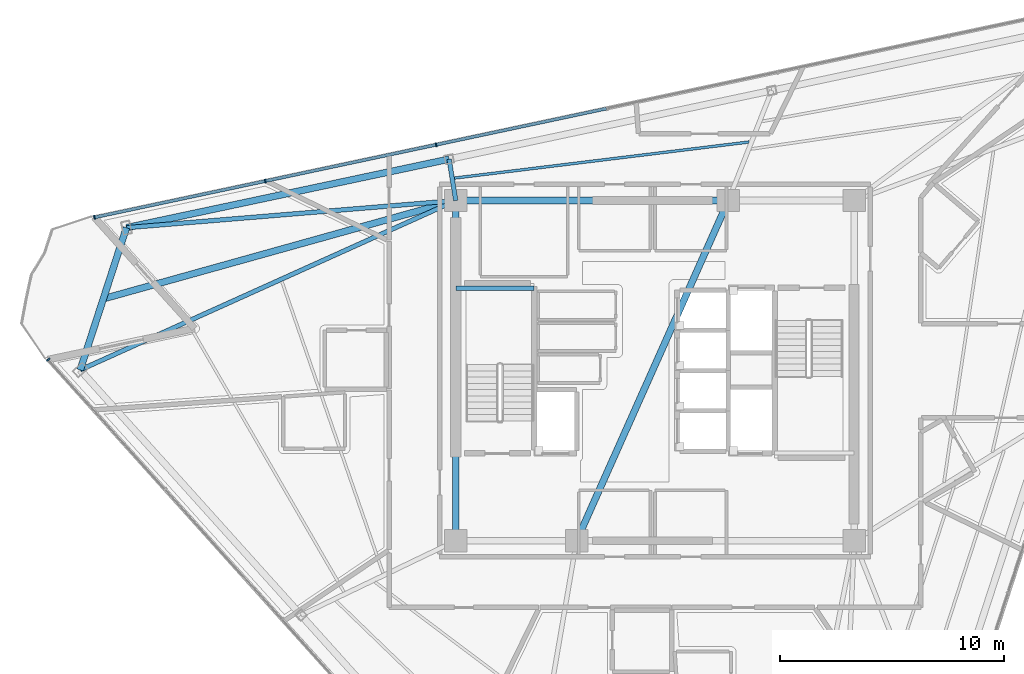
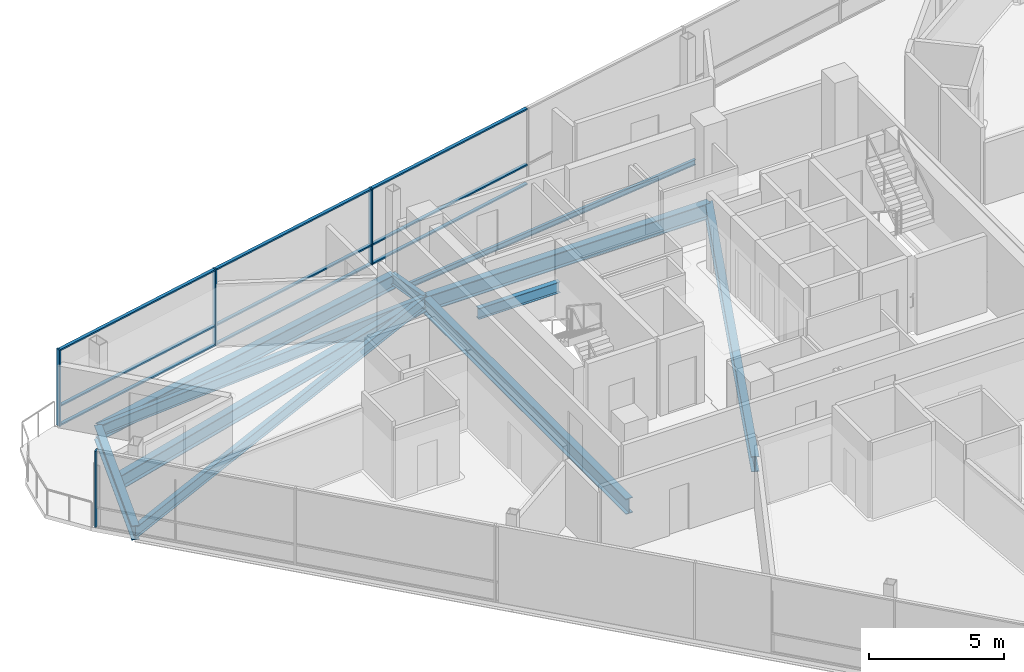
# One storey, part 6 of 18: 13 members, 11 beams, 2 elements without a shape of their own.
"""IFC4 building model written with IfcOpenShell, lengths in metres."""

from ifc_helpers import new_model, si_unit, direction, frame, origin, origin_2d, place, context, subcontext, project, spatial, rectangle, i_section, extrude, material, layer, layer_set, material_profile, profile_set, type_object, element, aggregate, save


model = new_model("IFC4")

# Units and contexts
model_context = context("Model", 3, precision=1e-05, world=origin(), true_north=direction((0.0, 1.0)))
body_context = subcontext(model_context, "Body", "Model", "MODEL_VIEW")
ifc_project = project(units=[si_unit("LENGTHUNIT", "METRE"), si_unit("AREAUNIT", "SQUARE_METRE"), si_unit("VOLUMEUNIT", "CUBIC_METRE"), si_unit("PLANEANGLEUNIT", "RADIAN"), si_unit("MASSUNIT", "GRAM", prefix="KILO")], contexts=[model_context])

# Site, building, storey
site_placement = place(None, origin())
site = spatial("IfcSite", under=ifc_project, at=site_placement, CompositionType="ELEMENT")
building_placement = place(site_placement, origin())
building = spatial("IfcBuilding", under=site, at=building_placement, Name="Tharavind Bronze Gate", CompositionType="ELEMENT")
storey_placement = place(building_placement, frame((0.0, 0.0, 287.050048828125)))
storey = spatial("IfcBuildingStorey", under=building, at=storey_placement, Name="L74", CompositionType="ELEMENT", Elevation=287.050048828125)

# Curtain wall, member
ifc_material_1 = material(Name="Anodised Bronze Aluminium", Category="aluminium")
ifc_layer = layer(ifc_material_1, 0.219970703125)
ifc_layer_set = layer_set([ifc_layer], Name="Anodised Bronze Aluminium")
curtain_wall_type = type_object("IfcCurtainWallType", Name="UNITISED CURTAIN WALL CROWN", PredefinedType="USERDEFINED", material=ifc_layer_set)
curtain_wall_1_placement = place(storey_placement, origin())
curtain_wall_1 = element("IfcCurtainWall", 1, at=curtain_wall_1_placement, inside=storey, type_object=curtain_wall_type, Name="L74 unitised curtain wall crown CW-L74-S1", ObjectType="UNITISED CURTAIN WALL", PredefinedType="USERDEFINED")
member_type_1 = type_object("IfcMemberType", Name="CURTAIN WALL BRONZE MULLION 65X180", PredefinedType="MULLION", material=ifc_material_1)
member_1_placement = place(storey_placement, frame((-27.105224609375, 0.4951171875, 0.0), z_axis=(0.0, 0.0, 1.0), x_axis=(0.669130606359, -0.743144825477, 0.0)))
member_1 = element("IfcMember", 2, at=member_1_placement, type_object=member_type_1, Name="CW-L74-S1 mullion 1", PredefinedType="MULLION", context=body_context, shape_type="SweptSolid", body=[
    extrude(rectangle(XDim=0.06494140625, YDim=0.179931640625, at=origin_2d()), origin(), (0.0, 0.0, 1.0), 3.465087890625),
])
aggregate(curtain_wall_1, [member_1])

# Curtain wall, members
curtain_wall_2_placement = place(storey_placement, origin())
curtain_wall_2 = element("IfcCurtainWall", 3, at=curtain_wall_2_placement, inside=storey, type_object=curtain_wall_type, Name="L74 unitised curtain wall crown CW-L74-S3", ObjectType="UNITISED CURTAIN WALL", PredefinedType="USERDEFINED")
member_2_placement = place(storey_placement, frame((-9.776611328125, 10.0927734375, 0.0), z_axis=(0.0, 0.0, 1.0), x_axis=(-0.978147237858, -0.207913398007, 0.0)))
member_2 = element("IfcMember", 4, at=member_2_placement, type_object=member_type_1, Name="CW-L74-S3 mullion 5", PredefinedType="MULLION", context=body_context, shape_type="SweptSolid", body=[
    extrude(rectangle(XDim=0.06494140625, YDim=0.179931640625, at=origin_2d()), origin(), (0.0, 0.0, 1.0), 3.465087890625),
])
member_3_placement = place(storey_placement, frame((-17.408935546875, 8.470458984375, 0.0), z_axis=(0.0, 0.0, 1.0), x_axis=(-0.978147237858, -0.207913398007, 0.0)))
member_3 = element("IfcMember", 5, at=member_3_placement, type_object=member_type_1, Name="CW-L74-S3 mullion 6", PredefinedType="MULLION", context=body_context, shape_type="SweptSolid", body=[
    extrude(rectangle(XDim=0.06494140625, YDim=0.179931640625, at=origin_2d()), origin(), (0.0, 0.0, 1.0), 3.465087890625),
])
member_4_placement = place(storey_placement, frame((-25.041015625, 6.84814453125, 0.0), z_axis=(0.0, 0.0, 1.0), x_axis=(-0.978147237858, -0.207913398007, 0.0)))
member_4 = element("IfcMember", 6, at=member_4_placement, type_object=member_type_1, Name="CW-L74-S3 mullion 7", PredefinedType="MULLION", context=body_context, shape_type="SweptSolid", body=[
    extrude(rectangle(XDim=0.06494140625, YDim=0.179931640625, at=origin_2d()), origin(), (0.0, 0.0, 1.0), 3.465087890625),
])
member_type_2 = type_object("IfcMemberType", Name="CURTAIN WALL BRONZE TRANSOM 65X140", PredefinedType="USERDEFINED", material=ifc_material_1)
member_5_placement = place(storey_placement, frame((-5.960693359375, 10.90380859375, 0.0), z_axis=(0.0, 0.0, 1.0), x_axis=(-0.978147237858, -0.207913398007, 0.0)))
member_5 = element("IfcMember", 7, at=member_5_placement, type_object=member_type_2, Name="CW-L74-S3 transom TB4", ObjectType="TRANSOM", PredefinedType="USERDEFINED", context=body_context, shape_type="SweptSolid", body=[
    extrude(rectangle(XDim=7.749755859375, YDim=0.139892578125, at=origin_2d()), origin(), (0.0, 0.0, 1.0), 0.06494140625),
])
member_6_placement = place(storey_placement, frame((-5.960693359375, 10.90380859375, 0.867431640625), z_axis=(0.0, 0.0, 1.0), x_axis=(-0.978147237858, -0.207913398007, 0.0)))
member_6 = element("IfcMember", 8, at=member_6_placement, type_object=member_type_2, Name="CW-L74-S3 transom TS4", ObjectType="TRANSOM", PredefinedType="USERDEFINED", context=body_context, shape_type="SweptSolid", body=[
    extrude(rectangle(XDim=7.749755859375, YDim=0.139892578125, at=origin_2d()), origin(), (0.0, 0.0, 1.0), 0.06494140625),
])
member_7_placement = place(storey_placement, frame((-5.960693359375, 10.90380859375, 3.39990234375), z_axis=(0.0, 0.0, 1.0), x_axis=(-0.978147237858, -0.207913398007, 0.0)))
member_7 = element("IfcMember", 9, at=member_7_placement, type_object=member_type_2, Name="CW-L74-S3 transom TT4", ObjectType="TRANSOM", PredefinedType="USERDEFINED", context=body_context, shape_type="SweptSolid", body=[
    extrude(rectangle(XDim=7.749755859375, YDim=0.139892578125, at=origin_2d()), origin(), (0.0, 0.0, 1.0), 0.06494140625),
])
member_8_placement = place(storey_placement, frame((-13.5927734375, 9.281494140625, 0.0), z_axis=(0.0, 0.0, 1.0), x_axis=(-0.978147237858, -0.207913398007, 0.0)))
member_8 = element("IfcMember", 10, at=member_8_placement, type_object=member_type_2, Name="CW-L74-S3 transom TB5", ObjectType="TRANSOM", PredefinedType="USERDEFINED", context=body_context, shape_type="SweptSolid", body=[
    extrude(rectangle(XDim=7.749755859375, YDim=0.139892578125, at=origin_2d()), origin(), (0.0, 0.0, 1.0), 0.06494140625),
])
member_9_placement = place(storey_placement, frame((-13.5927734375, 9.281494140625, 0.867431640625), z_axis=(0.0, 0.0, 1.0), x_axis=(-0.978147237858, -0.207913398007, 0.0)))
member_9 = element("IfcMember", 11, at=member_9_placement, type_object=member_type_2, Name="CW-L74-S3 transom TS5", ObjectType="TRANSOM", PredefinedType="USERDEFINED", context=body_context, shape_type="SweptSolid", body=[
    extrude(rectangle(XDim=7.749755859375, YDim=0.139892578125, at=origin_2d()), origin(), (0.0, 0.0, 1.0), 0.06494140625),
])
member_10_placement = place(storey_placement, frame((-13.5927734375, 9.281494140625, 3.39990234375), z_axis=(0.0, 0.0, 1.0), x_axis=(-0.978147237858, -0.207913398007, 0.0)))
member_10 = element("IfcMember", 12, at=member_10_placement, type_object=member_type_2, Name="CW-L74-S3 transom TT5", ObjectType="TRANSOM", PredefinedType="USERDEFINED", context=body_context, shape_type="SweptSolid", body=[
    extrude(rectangle(XDim=7.749755859375, YDim=0.139892578125, at=origin_2d()), origin(), (0.0, 0.0, 1.0), 0.06494140625),
])
member_11_placement = place(storey_placement, frame((-21.22509765625, 7.6591796875, 0.0), z_axis=(0.0, 0.0, 1.0), x_axis=(-0.978147237858, -0.207913398007, 0.0)))
member_11 = element("IfcMember", 13, at=member_11_placement, type_object=member_type_2, Name="CW-L74-S3 transom TB6", ObjectType="TRANSOM", PredefinedType="USERDEFINED", context=body_context, shape_type="SweptSolid", body=[
    extrude(rectangle(XDim=7.749755859375, YDim=0.139892578125, at=origin_2d()), origin(), (0.0, 0.0, 1.0), 0.06494140625),
])
member_12_placement = place(storey_placement, frame((-21.22509765625, 7.6591796875, 0.867431640625), z_axis=(0.0, 0.0, 1.0), x_axis=(-0.978147237858, -0.207913398007, 0.0)))
member_12 = element("IfcMember", 14, at=member_12_placement, type_object=member_type_2, Name="CW-L74-S3 transom TS6", ObjectType="TRANSOM", PredefinedType="USERDEFINED", context=body_context, shape_type="SweptSolid", body=[
    extrude(rectangle(XDim=7.749755859375, YDim=0.139892578125, at=origin_2d()), origin(), (0.0, 0.0, 1.0), 0.06494140625),
])
member_13_placement = place(storey_placement, frame((-21.22509765625, 7.6591796875, 3.39990234375), z_axis=(0.0, 0.0, 1.0), x_axis=(-0.978147237858, -0.207913398007, 0.0)))
member_13 = element("IfcMember", 15, at=member_13_placement, type_object=member_type_2, Name="CW-L74-S3 transom TT6", ObjectType="TRANSOM", PredefinedType="USERDEFINED", context=body_context, shape_type="SweptSolid", body=[
    extrude(rectangle(XDim=7.749755859375, YDim=0.139892578125, at=origin_2d()), origin(), (0.0, 0.0, 1.0), 0.06494140625),
])
aggregate(curtain_wall_2, [member_2, member_3, member_4, member_5, member_6, member_7, member_8, member_9, member_10, member_11, member_12, member_13])

# Beams
ifc_material_2 = material(Name="Steel S355", Category="steel")
ifc_material_profile_1 = material_profile(ifc_material_2, i_section(OverallWidth=0.300048828125, OverallDepth=0.64990234375, WebThickness=0.01611328125, FlangeThickness=0.031005859375, at=origin_2d()), Name="HE650B")
ifc_profile_set_1 = profile_set([ifc_material_profile_1], Name="Steel S355")
beam_type_1 = type_object("IfcBeamType", Name="PRIMARY GIRDER HE650B", PredefinedType="USERDEFINED", material=ifc_profile_set_1)
beam_1_placement = place(storey_placement, frame((-9.197265625, 9.44921875, -0.510009765625), z_axis=(-0.97814794647, -0.207910064249, 0.0), x_axis=(0.207910064249, -0.97814794647, 0.0)))
element("IfcBeam", 16, at=beam_1_placement, inside=storey, type_object=beam_type_1, Name="L74 primary girder he650b BM-L74-PRG11", ObjectType="GIRDER", PredefinedType="USERDEFINED", context=body_context, shape_type="SweptSolid", body=[
    extrude(i_section(OverallWidth=0.300048828125, OverallDepth=0.64990234375, WebThickness=0.01611328125, FlangeThickness=0.031005859375, at=origin_2d()), origin(), (0.0, 0.0, 1.0), 14.7392578125),
])
beam_2_placement = place(storey_placement, frame((-23.614501953125, 6.384765625, -0.510009765625), z_axis=(-0.309014999798, -0.95105716437, 0.0), x_axis=(0.95105716437, -0.309014999798, 0.0)))
element("IfcBeam", 17, at=beam_2_placement, inside=storey, type_object=beam_type_1, Name="L74 primary girder he650b BM-L74-PRG12", ObjectType="GIRDER", PredefinedType="USERDEFINED", context=body_context, shape_type="SweptSolid", body=[
    extrude(i_section(OverallWidth=0.300048828125, OverallDepth=0.64990234375, WebThickness=0.01611328125, FlangeThickness=0.031005859375, at=origin_2d()), origin(), (0.0, 0.0, 1.0), 6.679931640625),
])
beam_3_placement = place(storey_placement, frame((-8.89990234375, 7.60009765625, -0.510009765625), z_axis=(-0.963236664958, -0.268654289527, 0.0), x_axis=(0.268654289527, -0.963236664958, 0.0)))
element("IfcBeam", 18, at=beam_3_placement, inside=storey, type_object=beam_type_1, Name="L74 primary girder he650b BM-L74-BLCSB", ObjectType="GIRDER", PredefinedType="USERDEFINED", context=body_context, shape_type="SweptSolid", body=[
    extrude(i_section(OverallWidth=0.300048828125, OverallDepth=0.64990234375, WebThickness=0.01611328125, FlangeThickness=0.031005859375, at=origin_2d()), origin(), (0.0, 0.0, 1.0), 16.34765625),
])
ifc_material_profile_2 = material_profile(ifc_material_2, i_section(OverallWidth=0.199951171875, OverallDepth=0.5, WebThickness=0.01025390625, FlangeThickness=0.01611328125, at=origin_2d()), Name="IPE500")
ifc_profile_set_2 = profile_set([ifc_material_profile_2], Name="Steel S355")
beam_type_2 = type_object("IfcBeamType", Name="PRIMARY GIRDER IPE500", PredefinedType="USERDEFINED", material=ifc_profile_set_2)
beam_4_placement = place(storey_placement, frame((-8.89990234375, 3.679931640625, 1.375), z_axis=(1.0, 0.0, 0.0), x_axis=(0.0, 1.0, 0.0)))
element("IfcBeam", 19, at=beam_4_placement, inside=storey, type_object=beam_type_2, Name="L74 primary girder ipe500 BM-LD-ST1-L74-1", ObjectType="GIRDER", PredefinedType="USERDEFINED", context=body_context, shape_type="SweptSolid", body=[
    extrude(i_section(OverallWidth=0.199951171875, OverallDepth=0.5, WebThickness=0.01025390625, FlangeThickness=0.01611328125, at=origin_2d()), origin(), (0.0, 0.0, 1.0), 3.5),
])
beam_5_placement = place(storey_placement, frame((-25.6787109375, 0.03173828125, -0.43505859375), z_axis=(0.911557320277, 0.411173019361, 0.0), x_axis=(-0.411173019361, 0.911557320277, 0.0)))
element("IfcBeam", 20, at=beam_5_placement, inside=storey, type_object=beam_type_2, Name="L74 primary girder ipe500 BM-L74-RAD01", ObjectType="GIRDER", PredefinedType="USERDEFINED", context=body_context, shape_type="SweptSolid", body=[
    extrude(i_section(OverallWidth=0.199951171875, OverallDepth=0.5, WebThickness=0.01025390625, FlangeThickness=0.01611328125, at=origin_2d()), origin(), (0.0, 0.0, 1.0), 18.40673828125),
])
beam_6_placement = place(storey_placement, frame((-9.197265625, 9.44921875, -0.43505859375), z_axis=(0.15877339987, -0.987315049766, 0.0), x_axis=(0.987315049766, 0.15877339987, 0.0)))
element("IfcBeam", 21, at=beam_6_placement, inside=storey, type_object=beam_type_2, Name="L74 primary girder ipe500 BM-L74-RAD11", ObjectType="GIRDER", PredefinedType="USERDEFINED", context=body_context, shape_type="SweptSolid", body=[
    extrude(i_section(OverallWidth=0.199951171875, OverallDepth=0.5, WebThickness=0.01025390625, FlangeThickness=0.01611328125, at=origin_2d()), origin(), (0.0, 0.0, 1.0), 1.872802734375),
])
beam_7_placement = place(storey_placement, frame((-23.614501953125, 6.384765625, -0.43505859375), z_axis=(0.996606499326, 0.082313337321, 0.0), x_axis=(-0.082313337321, 0.996606499326, 0.0)))
element("IfcBeam", 22, at=beam_7_placement, inside=storey, type_object=beam_type_2, Name="L74 primary girder ipe500 BM-L74-RAD12", ObjectType="GIRDER", PredefinedType="USERDEFINED", context=body_context, shape_type="SweptSolid", body=[
    extrude(i_section(OverallWidth=0.199951171875, OverallDepth=0.5, WebThickness=0.01025390625, FlangeThickness=0.01611328125, at=origin_2d()), origin(), (0.0, 0.0, 1.0), 14.7646484375),
])
ifc_material_profile_3 = material_profile(ifc_material_2, i_section(OverallWidth=0.300048828125, OverallDepth=0.699951171875, WebThickness=0.01708984375, FlangeThickness=0.031982421875, at=origin_2d()), Name="HE700B")
ifc_profile_set_3 = profile_set([ifc_material_profile_3], Name="Steel S355")
beam_type_3 = type_object("IfcBeamType", Name="RING GIRDER HE700B", PredefinedType="USERDEFINED", material=ifc_profile_set_3)
beam_8_placement = place(storey_placement, frame((3.280029296875, 7.60009765625, -0.53515625), z_axis=(-1.0, 0.0, 0.0), x_axis=(0.0, -1.0, 0.0)))
element("IfcBeam", 23, at=beam_8_placement, inside=storey, type_object=beam_type_3, Name="L74 ring girder he700b BM-L74-CR5", ObjectType="GIRDER", PredefinedType="USERDEFINED", context=body_context, shape_type="SweptSolid", body=[
    extrude(i_section(OverallWidth=0.300048828125, OverallDepth=0.699951171875, WebThickness=0.01708984375, FlangeThickness=0.031982421875, at=origin_2d()), origin(), (0.0, 0.0, 1.0), 12.179931640625),
])
beam_9_placement = place(storey_placement, frame((-8.89990234375, 7.60009765625, -0.53515625), z_axis=(0.0, -1.0, 0.0), x_axis=(1.0, 0.0, 0.0)))
element("IfcBeam", 24, at=beam_9_placement, inside=storey, type_object=beam_type_3, Name="L74 ring girder he700b BM-L74-CR6", ObjectType="GIRDER", PredefinedType="USERDEFINED", context=body_context, shape_type="SweptSolid", body=[
    extrude(i_section(OverallWidth=0.300048828125, OverallDepth=0.699951171875, WebThickness=0.01708984375, FlangeThickness=0.031982421875, at=origin_2d()), origin(), (0.0, 0.0, 1.0), 15.2001953125),
])
beam_10_placement = place(storey_placement, frame((-3.5, -7.60009765625, -0.53515625), z_axis=(0.407361644566, 0.913266932795, 0.0), x_axis=(-0.913266932795, 0.407361644566, 0.0)))
element("IfcBeam", 25, at=beam_10_placement, inside=storey, type_object=beam_type_3, Name="L74 ring girder he700b BM-L74-CR7", ObjectType="GIRDER", PredefinedType="USERDEFINED", context=body_context, shape_type="SweptSolid", body=[
    extrude(i_section(OverallWidth=0.300048828125, OverallDepth=0.699951171875, WebThickness=0.01708984375, FlangeThickness=0.031982421875, at=origin_2d()), origin(), (0.0, 0.0, 1.0), 16.643798828125),
])
ifc_material_profile_4 = material_profile(ifc_material_2, i_section(OverallWidth=0.1201171875, OverallDepth=0.239990234375, WebThickness=0.006103515625, FlangeThickness=0.009765625, at=origin_2d()), Name="IPE240")
ifc_profile_set_4 = profile_set([ifc_material_profile_4], Name="Steel S355")
beam_type_4 = type_object("IfcBeamType", Name="SECONDARY FLOOR JOIST IPE240", PredefinedType="JOIST", material=ifc_profile_set_4)
beam_11_placement = place(storey_placement, frame((4.200927734375, 10.214599609375, -0.304931640625), z_axis=(-0.992572551394, -0.121654141807, 0.0), x_axis=(0.121654141807, -0.992572551394, 0.0)))
element("IfcBeam", 26, at=beam_11_placement, inside=storey, type_object=beam_type_4, Name="L74 secondary floor joist ipe240 BM-L74-JSTA10", PredefinedType="JOIST", context=body_context, shape_type="SweptSolid", body=[
    extrude(i_section(OverallWidth=0.1201171875, OverallDepth=0.239990234375, WebThickness=0.006103515625, FlangeThickness=0.009765625, at=origin_2d()), origin(), (0.0, 0.0, 1.0), 13.255126953125),
])

save(model, "model.ifc")
